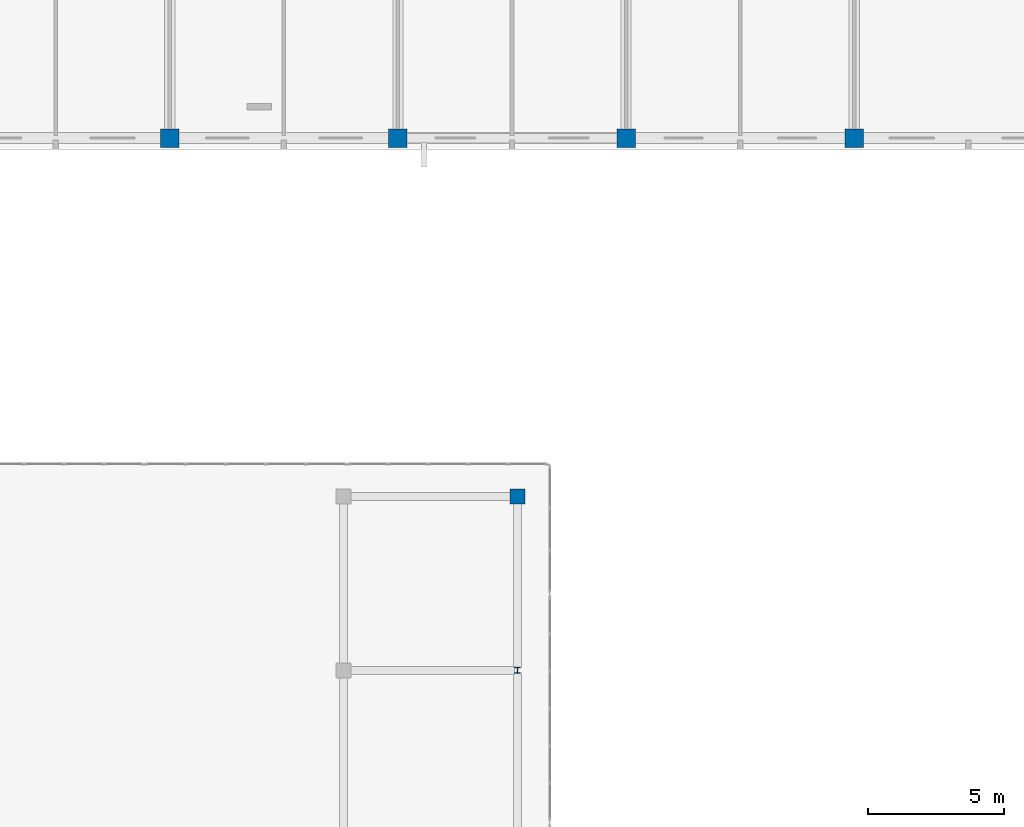
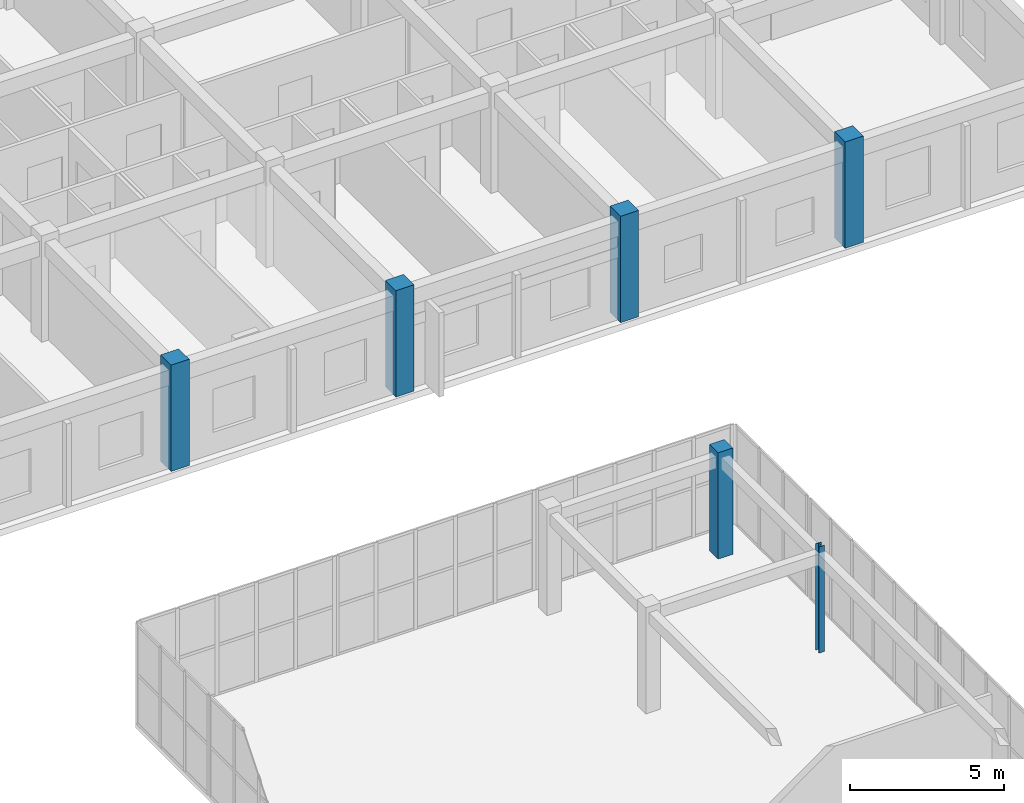
# One storey, part 10 of 140: 6 columns.
"""IFC4 building model written with IfcOpenShell, lengths in metres."""

from ifc_helpers import new_model, si_unit, direction, frame, origin, origin_2d, place, context, subcontext, project, spatial, rectangle, i_section, extrude, material, material_profile, profile_set, type_object, element, save


model = new_model("IFC4")

# Units and contexts
model_context = context("Model", 3, precision=1e-05, world=origin(), true_north=direction((0.0, 1.0)))
body_context = subcontext(model_context, "Body", "Model", "MODEL_VIEW")
ifc_project = project(units=[si_unit("LENGTHUNIT", "METRE"), si_unit("AREAUNIT", "SQUARE_METRE"), si_unit("VOLUMEUNIT", "CUBIC_METRE"), si_unit("PLANEANGLEUNIT", "RADIAN"), si_unit("MASSUNIT", "GRAM", prefix="KILO")], contexts=[model_context])

# Site, building, storey
site_placement = place(None, origin())
site = spatial("IfcSite", under=ifc_project, at=site_placement, CompositionType="ELEMENT")
building_placement = place(site_placement, origin())
building = spatial("IfcBuilding", under=site, at=building_placement, Name="Trelvath General Hospital", CompositionType="ELEMENT")
storey_placement = place(building_placement, frame((0.0, 0.0, 16.199951171875)))
storey = spatial("IfcBuildingStorey", under=building, at=storey_placement, Name="L04", CompositionType="ELEMENT", Elevation=16.199951171875)

# Columns
ifc_material_1 = material(Name="Concrete C40/50", Category="concrete")
ifc_material_profile_1 = material_profile(ifc_material_1, rectangle(XDim=0.550048828125, YDim=0.550048828125, at=origin_2d()), Name="RC550x550")
ifc_profile_set_1 = profile_set([ifc_material_profile_1], Name="Concrete C40/50")
column_type_1 = type_object("IfcColumnType", Name="Column RC550", PredefinedType="COLUMN", material=ifc_profile_set_1)
column_1_placement = place(storey_placement, frame((113.60009765625, 79.199951171875, 0.0), z_axis=(0.0, 0.0, 1.0), x_axis=(1.0, 0.0, 0.0)))
element("IfcColumn", 1, at=column_1_placement, inside=storey, type_object=column_type_1, Name="Cube Interior Column CC-E10 L04", PredefinedType="COLUMN", context=body_context, shape_type="SweptSolid", body=[
    extrude(rectangle(XDim=0.550048828125, YDim=0.550048828125, at=origin_2d()), origin(), (0.0, 0.0, 1.0), 4.199951171875),
])
ifc_material_2 = material(Name="Concrete C40/50", Category="concrete")
ifc_material_profile_2 = material_profile(ifc_material_2, rectangle(XDim=0.679931640625, YDim=0.679931640625, at=origin_2d()), Name="RC680x680")
ifc_profile_set_2 = profile_set([ifc_material_profile_2], Name="Concrete C40/50")
column_type_2 = type_object("IfcColumnType", Name="Column RC680", PredefinedType="COLUMN", material=ifc_profile_set_2)
for number, where, z_axis, x_axis, name in (
    (2, (100.800048828125, 92.39990234375, 0.0), (0.0, 0.0, 1.0), (1.0, 0.0, 0.0), "Column C-13L L04"),
    (3, (109.199951171875, 92.39990234375, 0.0), (0.0, 0.0, 1.0), (1.0, 0.0, 0.0), "Column C-14L L04"),
    (4, (117.60009765625, 92.39990234375, 0.0), (0.0, 0.0, 1.0), (1.0, 0.0, 0.0), "Column C-15L L04"),
    (5, (126.0, 92.39990234375, 0.0), (0.0, 0.0, 1.0), (1.0, 0.0, 0.0), "Column C-16L L04"),
):
    element("IfcColumn", number, at=place(storey_placement, frame(where, z_axis=z_axis, x_axis=x_axis)), inside=storey, type_object=column_type_2, Name=name, PredefinedType="COLUMN", context=body_context, shape_type="SweptSolid", body=[
        extrude(rectangle(XDim=0.679931640625, YDim=0.679931640625, at=origin_2d()), origin(), (0.0, 0.0, 1.0), 4.199951171875),
    ])
ifc_material_3 = material(Name="Steel S355", Category="steel")
ifc_material_profile_3 = material_profile(ifc_material_3, i_section(OverallWidth=0.219970703125, OverallDepth=0.219970703125, WebThickness=0.009521484375, FlangeThickness=0.01611328125, at=origin_2d()), Name="HEB220")
ifc_profile_set_3 = profile_set([ifc_material_profile_3], Name="Steel S355")
column_type_3 = type_object("IfcColumnType", Name="CubePost HEB220", PredefinedType="COLUMN", material=ifc_profile_set_3)
column_2_placement = place(storey_placement, frame((113.60009765625, 72.800048828125, 0.0), z_axis=(0.0, 0.0, 1.0), x_axis=(1.0, 0.0, 0.0)))
element("IfcColumn", 6, at=column_2_placement, inside=storey, type_object=column_type_3, Name="Cube Interior Column CC-E09 L04", PredefinedType="COLUMN", context=body_context, shape_type="SweptSolid", body=[
    extrude(i_section(OverallWidth=0.219970703125, OverallDepth=0.219970703125, WebThickness=0.009521484375, FlangeThickness=0.01611328125, at=origin_2d()), origin(), (0.0, 0.0, 1.0), 4.199951171875),
])

save(model, "model.ifc")
